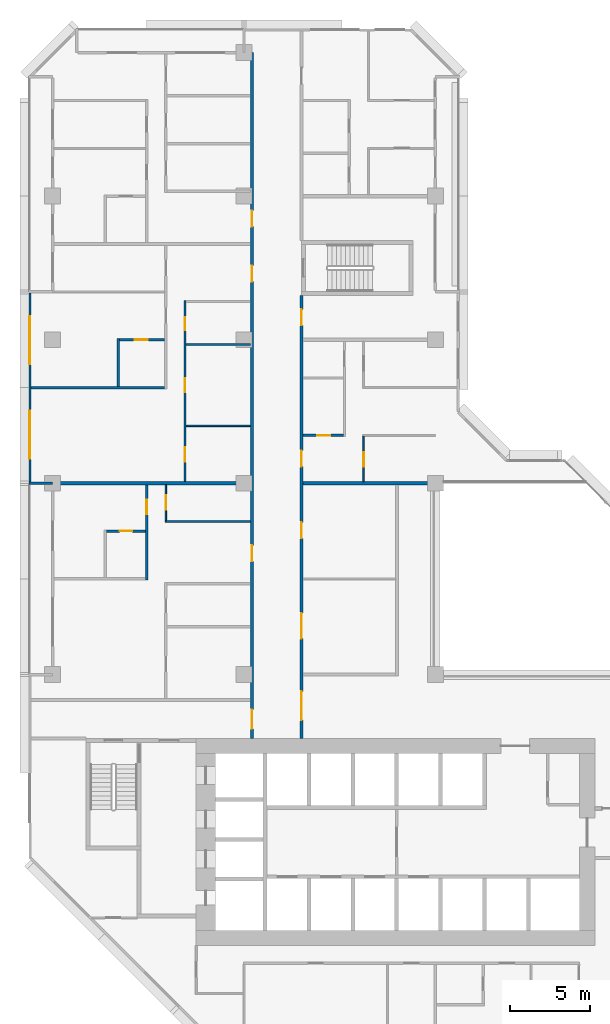
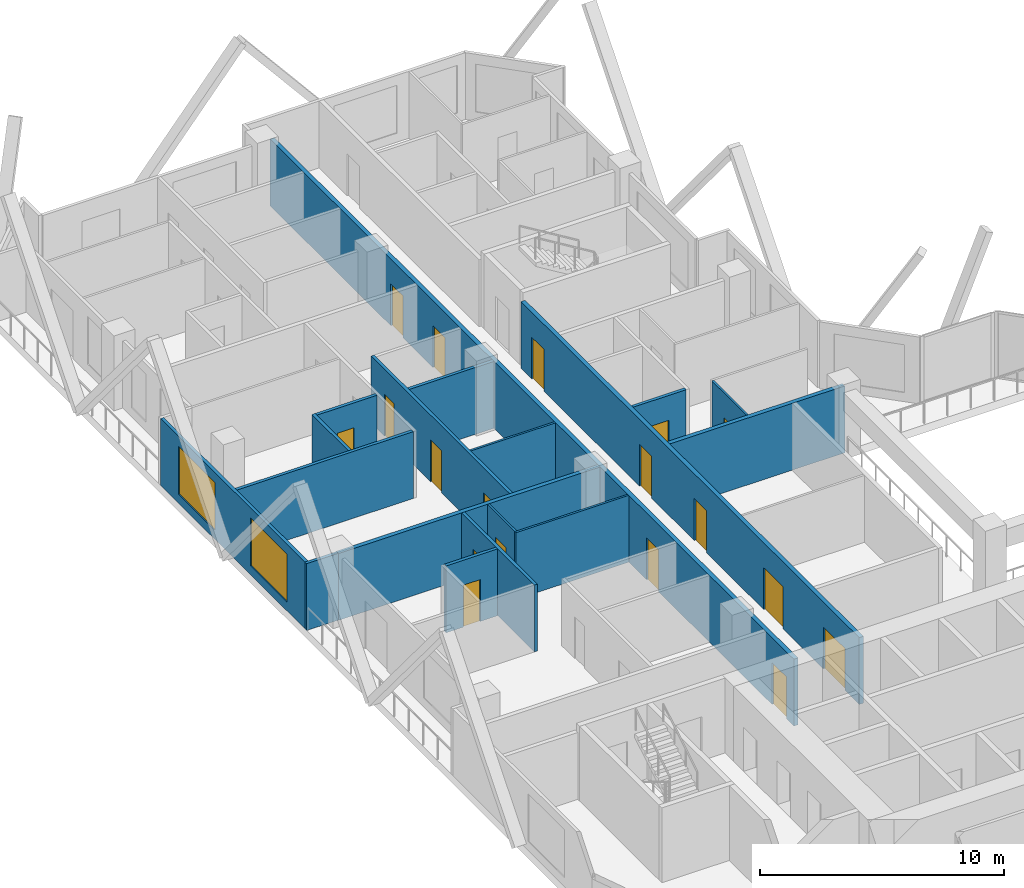
# One storey, part 8 of 14: 18 doors, 18 walls, 2 windows, 20 openings.
"""IFC4 building model written with IfcOpenShell, lengths in metres."""

import ifcopenshell
import ifcopenshell.guid

model = None  # the IFC model being written
_history = None  # IfcOwnerHistory: only IFC2X3 demands one
_inside = {}  # id of a spatial element -> (the spatial element, [elements in it])
_under = {}  # id of a project, library or spatial element -> (it, [spatial elements below it])
_declared = {}  # id of a project -> (the project, [libraries it declares])
_typed = {}  # id of a type object -> (the type object, [elements of that type])
_made_of = {}  # id of a material, layer set ... -> (it, [elements and type objects made of it])


def new_model(schema):
    """Start an empty IFC model of exactly this schema.

    Asked for "IFC4X3", IfcOpenShell would pick the latest addendum, in which some entities
    have other attributes; the version numbers below select the first issue.
    IFC2X3 requires an IfcOwnerHistory on every rooted entity: one is made here for all.
    """
    global model, _history
    if schema == "IFC4X3":
        model = ifcopenshell.file(schema_version=(4, 3, 0, 0))
    else:
        model = ifcopenshell.file(schema=schema)
    _inside.clear()
    _under.clear()
    _declared.clear()
    _typed.clear()
    _made_of.clear()
    _history = None
    if model.schema == "IFC2X3":
        org = make("IfcOrganization", Name="unknown")
        user = make(
            "IfcPersonAndOrganization",
            ThePerson=make("IfcPerson", FamilyName="unknown"),
            TheOrganization=org,
        )
        app = make(
            "IfcApplication",
            ApplicationDeveloper=org,
            Version="unknown",
            ApplicationFullName="unknown",
            ApplicationIdentifier="unknown",
        )
        _history = make(
            "IfcOwnerHistory",
            OwningUser=user,
            OwningApplication=app,
            ChangeAction="ADDED",
            CreationDate=0,
        )
    return model


def make(cls, **values):
    """One entity of the class cls with the attributes given. An attribute that is None is left unset."""
    return model.create_entity(
        cls, **{name: value for name, value in values.items() if value is not None}
    )


def rooted(cls, **values):
    """An entity with a GlobalId (a new one), such as an element, a storey or a relation."""
    return make(cls, GlobalId=ifcopenshell.guid.new(), OwnerHistory=_history, **values)


def si_unit(unit_type, name, prefix=None):
    """IfcSIUnit, for example si_unit("LENGTHUNIT", "METRE", prefix="MILLI")."""
    return make("IfcSIUnit", UnitType=unit_type, Prefix=prefix, Name=name)


def assignment(units):
    """IfcUnitAssignment: the units of a project."""
    return None if units is None else make("IfcUnitAssignment", Units=units)


def point(xyz):
    """IfcCartesianPoint."""
    return None if xyz is None else make("IfcCartesianPoint", Coordinates=xyz)


def direction(xyz):
    """IfcDirection."""
    return None if xyz is None else make("IfcDirection", DirectionRatios=xyz)


def frame(location, z_axis=None, x_axis=None):
    """IfcAxis2Placement3D, a coordinate frame: its origin and axes. An axis left out is left unset."""
    return make(
        "IfcAxis2Placement3D",
        Location=point(location),
        Axis=direction(z_axis),
        RefDirection=direction(x_axis),
    )


def frame_2d(location, x_axis=None):
    """IfcAxis2Placement2D, a coordinate frame in the plane: its origin and x axis."""
    return make(
        "IfcAxis2Placement2D", Location=point(location), RefDirection=direction(x_axis)
    )


def origin():
    """The frame at (0, 0, 0) with its axes left unset."""
    return frame((0.0, 0.0, 0.0))


def place(relative_to, where):
    """IfcLocalPlacement: puts the frame where relative to a parent placement (None: the world)."""
    return make(
        "IfcLocalPlacement", PlacementRelTo=relative_to, RelativePlacement=where
    )


def context(
    kind, dimensions, precision=None, world=None, true_north=None, identifier=None
):
    """IfcGeometricRepresentationContext, for example the 3D "Model" context."""
    return make(
        "IfcGeometricRepresentationContext",
        ContextIdentifier=identifier,
        ContextType=kind,
        CoordinateSpaceDimension=dimensions,
        Precision=precision,
        WorldCoordinateSystem=world,
        TrueNorth=true_north,
    )


def subcontext(parent, identifier, kind, view, scale=None):
    """IfcGeometricRepresentationSubContext, for example "Body" below "Model"."""
    return make(
        "IfcGeometricRepresentationSubContext",
        ContextIdentifier=identifier,
        ContextType=kind,
        ParentContext=parent,
        TargetScale=scale,
        TargetView=view,
    )


def project(units=None, contexts=None):
    """IfcProject with its units and contexts."""
    return rooted(
        "IfcProject",
        Name="project",
        RepresentationContexts=contexts,
        UnitsInContext=assignment(units),
    )


def spatial(cls, under=None, at=None, **own):
    """A site, building, storey or space (cls), placed at a placement, below another one or the project."""
    s = rooted(cls, ObjectPlacement=at, **own)
    if under is not None:
        _under.setdefault(under.id(), (under, []))[1].append(s)
    return s


def profile(cls, at=None, kind="AREA", **sizes):
    """A parametric profile (cls). Its sizes go by their IFC names, for example OverallWidth=200.0."""
    return make(cls, ProfileType=kind, Position=at, **sizes)


def rectangle(**sizes):
    """IfcRectangleProfileDef."""
    return profile("IfcRectangleProfileDef", **sizes)


def extrude(swept, where, along, depth):
    """IfcExtrudedAreaSolid: the profile swept, set in the frame where, extruded along a direction by depth."""
    return make(
        "IfcExtrudedAreaSolid",
        SweptArea=swept,
        Position=where,
        ExtrudedDirection=direction(along),
        Depth=depth,
    )


def shape(context_of_items, identifier, shape_type, items):
    """IfcShapeRepresentation: the items that make up one representation, for example the "Body"."""
    return make(
        "IfcShapeRepresentation",
        ContextOfItems=context_of_items,
        RepresentationIdentifier=identifier,
        RepresentationType=shape_type,
        Items=items,
    )


def material(Name=None, Category=None):
    """IfcMaterial."""
    return make("IfcMaterial", Name=Name, Category=Category)


def layer(
    of_material, thickness, ventilated=None, Name=None, Category=None, Priority=None
):
    """IfcMaterialLayer: one layer of a wall or slab, of a material (None: an air gap)."""
    return make(
        "IfcMaterialLayer",
        Material=of_material,
        LayerThickness=thickness,
        IsVentilated=ventilated,
        Name=Name,
        Category=Category,
        Priority=Priority,
    )


def layer_set(layers, Name=None):
    """IfcMaterialLayerSet."""
    return make("IfcMaterialLayerSet", MaterialLayers=layers, LayerSetName=Name)


def made_of(thing, what):
    """Note that an element or type object is made of a material, layer set ...; save() writes the relation."""
    if what is not None:
        _made_of.setdefault(what.id(), (what, []))[1].append(thing)
    return thing


def type_object(cls, material=None, **own):
    """A type object (cls), such as IfcWallType, which elements share."""
    return made_of(rooted(cls, **own), material)


def element(
    cls,
    number,
    at=None,
    inside=None,
    cuts=None,
    type_object=None,
    material=None,
    context=None,
    identifier="Body",
    shape_type=None,
    held_by="IfcProductDefinitionShape",
    body=None,
    shapes=None,
    **own,
):
    """One element of the class cls, such as IfcWall. Its Tag is "e" and its number.

    at: its placement. inside: the storey or other place that contains it. cuts: it is an
    opening in that element (IfcRelVoidsElement). A single representation is given by context,
    identifier, shape_type and body (its items); several are given by shapes. held_by: the class
    of the entity that holds the representations. save() writes the other relations.
    """
    e = rooted(cls, Tag="e%d" % number, ObjectPlacement=at, **own)
    if body is not None:
        shapes = [shape(context, identifier, shape_type, body)]
    if shapes is not None:
        e.Representation = make(held_by, Representations=shapes)
    if inside is not None:
        _inside.setdefault(inside.id(), (inside, []))[1].append(e)
    if cuts is not None:
        rooted(
            "IfcRelVoidsElement", RelatingBuildingElement=cuts, RelatedOpeningElement=e
        )
    if type_object is not None:
        _typed.setdefault(type_object.id(), (type_object, []))[1].append(e)
    return made_of(e, material)


def fill(opening, filler):
    """IfcRelFillsElement: the door or window that sits in an opening."""
    return rooted(
        "IfcRelFillsElement",
        RelatingOpeningElement=opening,
        RelatedBuildingElement=filler,
    )


def aggregate(whole, parts):
    """IfcRelAggregates: a whole, such as a stair, and the parts it consists of."""
    return rooted("IfcRelAggregates", RelatingObject=whole, RelatedObjects=parts)


def save(model, path):
    """Write the relations noted so far, then the file.

    IfcRelAggregates (storeys below a building ...), IfcRelContainedInSpatialStructure (elements
    in a storey), IfcRelDefinesByType, IfcRelAssociatesMaterial and IfcRelDeclares: one each for
    every whole, place, type object, material and project.
    """
    for whole, parts in _under.values():
        aggregate(whole, parts)
    for where, things in _inside.values():
        rooted(
            "IfcRelContainedInSpatialStructure",
            RelatedElements=things,
            RelatingStructure=where,
        )
    for kind, things in _typed.values():
        rooted("IfcRelDefinesByType", RelatedObjects=things, RelatingType=kind)
    for what, things in _made_of.values():
        rooted("IfcRelAssociatesMaterial", RelatedObjects=things, RelatingMaterial=what)
    for by, libraries in _declared.values():
        rooted("IfcRelDeclares", RelatingContext=by, RelatedDefinitions=libraries)
    model.write(path)


model = new_model("IFC4")

# Units and contexts
model_context = context("Model", 3, precision=1e-05, world=origin(), true_north=direction((0.0, 1.0)))
body_context = subcontext(model_context, "Body", "Model", "MODEL_VIEW")
ifc_project = project(units=[si_unit("LENGTHUNIT", "METRE"), si_unit("AREAUNIT", "SQUARE_METRE"), si_unit("VOLUMEUNIT", "CUBIC_METRE"), si_unit("PLANEANGLEUNIT", "RADIAN"), si_unit("MASSUNIT", "GRAM", prefix="KILO")], contexts=[model_context])

# Site, building, storey
site_placement = place(None, origin())
site = spatial("IfcSite", under=ifc_project, at=site_placement, CompositionType="ELEMENT")
building_placement = place(site_placement, origin())
building = spatial("IfcBuilding", under=site, at=building_placement, Name="Chenar Terraces", CompositionType="ELEMENT")
storey_placement = place(building_placement, frame((0.0, 0.0, 91.89990234375)))
storey = spatial("IfcBuildingStorey", under=building, at=storey_placement, Name="L20", CompositionType="ELEMENT", Elevation=91.89990234375)

# Wall, openings, doors
ifc_material_1 = material(Name="Gypsum board on steel studs with fire boards", Category="steel")
ifc_layer_1 = layer(ifc_material_1, 0.199951171875)
ifc_layer_set_1 = layer_set([ifc_layer_1], Name="Gypsum board on steel studs with fire boards")
wall_type_1 = type_object("IfcWallType", Name="Corridor wall 200", PredefinedType="PARTITIONING", material=ifc_layer_set_1)
wall_1_placement = place(storey_placement, frame((12.5, 20.0, 0.0), z_axis=(0.0, 0.0, 1.0), x_axis=(0.0, 1.0, 0.0)))
wall_1 = element("IfcWall", 1, at=wall_1_placement, inside=storey, type_object=wall_type_1, Name="Partition L20-037", PredefinedType="PARTITIONING", context=body_context, shape_type="SweptSolid", body=[
    extrude(rectangle(XDim=43.0, YDim=0.199951171875, at=frame_2d((21.5, 0.0))), origin(), (0.0, 0.0, 1.0), 3.35009765625),
])
opening_1_placement = place(wall_1_placement, frame((28.64990234375, 0.0, 0.0)))
opening_1 = element("IfcOpeningElement", 2, at=opening_1_placement, cuts=wall_1, Name="Opening DL20-40", PredefinedType="OPENING", context=body_context, shape_type="SweptSolid", body=[
    extrude(rectangle(XDim=1.0, YDim=2.10009765625, at=frame_2d((0.5, 1.050048828125))), frame((0.0, 0.10986328125, 0.0), z_axis=(0.0, -1.0, 0.0), x_axis=(1.0, 0.0, 0.0)), (0.0, 0.0, 1.0), 0.219970703125),
])
opening_2_placement = place(wall_1_placement, frame((32.10009765625, 0.0, 0.0)))
opening_2 = element("IfcOpeningElement", 3, at=opening_2_placement, cuts=wall_1, Name="Opening DL20-48", PredefinedType="OPENING", context=body_context, shape_type="SweptSolid", body=[
    extrude(rectangle(XDim=1.0, YDim=2.10009765625, at=frame_2d((0.5, 1.050048828125))), frame((0.0, 0.10986328125, 0.0), z_axis=(0.0, -1.0, 0.0), x_axis=(1.0, 0.0, 0.0)), (0.0, 0.0, 1.0), 0.219970703125),
])
opening_3_placement = place(wall_1_placement, frame((0.60009765625, 0.0, 0.0)))
opening_3 = element("IfcOpeningElement", 4, at=opening_3_placement, cuts=wall_1, Name="Opening DL20-51", PredefinedType="OPENING", context=body_context, shape_type="SweptSolid", body=[
    extrude(rectangle(XDim=1.199951171875, YDim=2.10009765625, at=frame_2d((0.60009765625, 1.050048828125))), frame((0.0, 0.10986328125, 0.0), z_axis=(0.0, -1.0, 0.0), x_axis=(1.0, 0.0, 0.0)), (0.0, 0.0, 1.0), 0.219970703125),
])
opening_4_placement = place(wall_1_placement, frame((11.10009765625, 0.0, 0.0)))
opening_4 = element("IfcOpeningElement", 5, at=opening_4_placement, cuts=wall_1, Name="Opening DL20-71", PredefinedType="OPENING", context=body_context, shape_type="SweptSolid", body=[
    extrude(rectangle(XDim=1.0, YDim=2.10009765625, at=frame_2d((0.5, 1.050048828125))), frame((0.0, 0.10986328125, 0.0), z_axis=(0.0, -1.0, 0.0), x_axis=(1.0, 0.0, 0.0)), (0.0, 0.0, 1.0), 0.219970703125),
])
ifc_material_2 = material(Name="Steel-framed fire-resisting door leaf", Category="steel")
door_type_1 = type_object("IfcDoorType", Name="Fire door FD30S 1000 x 2100", OperationType="SINGLE_SWING_LEFT", PredefinedType="DOOR", material=ifc_material_2)
door_1_placement = place(opening_1_placement, origin())
door_1 = element("IfcDoor", 6, at=door_1_placement, inside=storey, type_object=door_type_1, Name="Door DL20-40", OperationType="SINGLE_SWING_LEFT", OverallHeight=2.10009765625, OverallWidth=1.0, PredefinedType="DOOR", context=body_context, shape_type="SweptSolid", body=[
    extrude(rectangle(XDim=1.0, YDim=2.10009765625, at=frame_2d((0.5, 1.050048828125))), frame((0.0, 0.02490234375, 0.0), z_axis=(0.0, -1.0, 0.0), x_axis=(1.0, 0.0, 0.0)), (0.0, 0.0, 1.0), 0.050048828125),
])
fill(opening_1, door_1)
door_2_placement = place(opening_2_placement, origin())
door_2 = element("IfcDoor", 7, at=door_2_placement, inside=storey, type_object=door_type_1, Name="Door DL20-48", OperationType="SINGLE_SWING_RIGHT", OverallHeight=2.10009765625, OverallWidth=1.0, PredefinedType="DOOR", context=body_context, shape_type="SweptSolid", body=[
    extrude(rectangle(XDim=1.0, YDim=2.10009765625, at=frame_2d((0.5, 1.050048828125))), frame((0.0, 0.02490234375, 0.0), z_axis=(0.0, -1.0, 0.0), x_axis=(1.0, 0.0, 0.0)), (0.0, 0.0, 1.0), 0.050048828125),
])
fill(opening_2, door_2)
door_3_placement = place(opening_4_placement, origin())
door_3 = element("IfcDoor", 8, at=door_3_placement, inside=storey, type_object=door_type_1, Name="Door DL20-71", OperationType="SINGLE_SWING_LEFT", OverallHeight=2.10009765625, OverallWidth=1.0, PredefinedType="DOOR", context=body_context, shape_type="SweptSolid", body=[
    extrude(rectangle(XDim=1.0, YDim=2.10009765625, at=frame_2d((0.5, 1.050048828125))), frame((0.0, 0.02490234375, 0.0), z_axis=(0.0, -1.0, 0.0), x_axis=(1.0, 0.0, 0.0)), (0.0, 0.0, 1.0), 0.050048828125),
])
fill(opening_4, door_3)
ifc_material_3 = material(Name="Steel-framed fire-resisting door leaf", Category="steel")
door_type_2 = type_object("IfcDoorType", Name="Fire door FD30S 1200 x 2100", OperationType="SINGLE_SWING_LEFT", PredefinedType="DOOR", material=ifc_material_3)
door_4_placement = place(opening_3_placement, origin())
door_4 = element("IfcDoor", 9, at=door_4_placement, inside=storey, type_object=door_type_2, Name="Door DL20-51", OperationType="SINGLE_SWING_RIGHT", OverallHeight=2.10009765625, OverallWidth=1.199951171875, PredefinedType="DOOR", context=body_context, shape_type="SweptSolid", body=[
    extrude(rectangle(XDim=1.199951171875, YDim=2.10009765625, at=frame_2d((0.60009765625, 1.050048828125))), frame((0.0, 0.02490234375, 0.0), z_axis=(0.0, -1.0, 0.0), x_axis=(1.0, 0.0, 0.0)), (0.0, 0.0, 1.0), 0.050048828125),
])
fill(opening_3, door_4)

wall_2_placement = place(storey_placement, frame((15.60009765625, 20.0, 0.0), z_axis=(0.0, 0.0, 1.0), x_axis=(0.0, 1.0, 0.0)))
wall_2 = element("IfcWall", 10, at=wall_2_placement, inside=storey, type_object=wall_type_1, Name="Partition L20-038", PredefinedType="PARTITIONING", context=body_context, shape_type="SweptSolid", body=[
    extrude(rectangle(XDim=27.77490234375, YDim=0.199951171875, at=frame_2d((13.887451171875, 0.0))), origin(), (0.0, 0.0, 1.0), 3.35009765625),
])
opening_5_placement = place(wall_2_placement, frame((6.25, 0.0, 0.0)))
opening_5 = element("IfcOpeningElement", 11, at=opening_5_placement, cuts=wall_2, Name="Opening DL20-1", PredefinedType="OPENING", context=body_context, shape_type="SweptSolid", body=[
    extrude(rectangle(XDim=1.60009765625, YDim=2.10009765625, at=frame_2d((0.800048828125, 1.050048828125))), frame((0.0, 0.10986328125, 0.0), z_axis=(0.0, -1.0, 0.0), x_axis=(1.0, 0.0, 0.0)), (0.0, 0.0, 1.0), 0.219970703125),
])
opening_6_placement = place(wall_2_placement, frame((12.550048828125, 0.0, 0.0)))
opening_6 = element("IfcOpeningElement", 12, at=opening_6_placement, cuts=wall_2, Name="Opening DL20-2", PredefinedType="OPENING", context=body_context, shape_type="SweptSolid", body=[
    extrude(rectangle(XDim=1.0, YDim=2.10009765625, at=frame_2d((0.5, 1.050048828125))), frame((0.0, 0.10986328125, 0.0), z_axis=(0.0, -1.0, 0.0), x_axis=(1.0, 0.0, 0.0)), (0.0, 0.0, 1.0), 0.219970703125),
])
opening_7_placement = place(wall_2_placement, frame((17.050048828125, 0.0, 0.0)))
opening_7 = element("IfcOpeningElement", 13, at=opening_7_placement, cuts=wall_2, Name="Opening DL20-29", PredefinedType="OPENING", context=body_context, shape_type="SweptSolid", body=[
    extrude(rectangle(XDim=1.0, YDim=2.10009765625, at=frame_2d((0.5, 1.050048828125))), frame((0.0, 0.10986328125, 0.0), z_axis=(0.0, -1.0, 0.0), x_axis=(1.0, 0.0, 0.0)), (0.0, 0.0, 1.0), 0.219970703125),
])
opening_8_placement = place(wall_2_placement, frame((1.14990234375, 0.0, 0.0)))
opening_8 = element("IfcOpeningElement", 14, at=opening_8_placement, cuts=wall_2, Name="Opening DL20-50", PredefinedType="OPENING", context=body_context, shape_type="SweptSolid", body=[
    extrude(rectangle(XDim=1.800048828125, YDim=2.10009765625, at=frame_2d((0.89990234375, 1.050048828125))), frame((0.0, 0.10986328125, 0.0), z_axis=(0.0, -1.0, 0.0), x_axis=(1.0, 0.0, 0.0)), (0.0, 0.0, 1.0), 0.219970703125),
])
opening_9_placement = place(wall_2_placement, frame((25.89990234375, 0.0, 0.0)))
opening_9 = element("IfcOpeningElement", 15, at=opening_9_placement, cuts=wall_2, Name="Opening DL20-53", PredefinedType="OPENING", context=body_context, shape_type="SweptSolid", body=[
    extrude(rectangle(XDim=1.0, YDim=2.10009765625, at=frame_2d((0.5, 1.050048828125))), frame((0.0, 0.10986328125, 0.0), z_axis=(0.0, -1.0, 0.0), x_axis=(1.0, 0.0, 0.0)), (0.0, 0.0, 1.0), 0.219970703125),
])
ifc_material_4 = material(Name="Steel-framed fire-resisting door leaf", Category="steel")
door_type_3 = type_object("IfcDoorType", Name="Fire door FD60 1000 x 2100", OperationType="SINGLE_SWING_LEFT", PredefinedType="DOOR", material=ifc_material_4)
door_5_placement = place(opening_6_placement, frame((1.0, 0.0, 0.0), z_axis=(0.0, 0.0, 1.0), x_axis=(-1.0, 0.0, 0.0)))
door_5 = element("IfcDoor", 16, at=door_5_placement, inside=storey, type_object=door_type_3, Name="Door DL20-2", OperationType="SINGLE_SWING_LEFT", OverallHeight=2.10009765625, OverallWidth=1.0, PredefinedType="DOOR", context=body_context, shape_type="SweptSolid", body=[
    extrude(rectangle(XDim=1.0, YDim=2.10009765625, at=frame_2d((0.5, 1.050048828125))), frame((0.0, 0.02490234375, 0.0), z_axis=(0.0, -1.0, 0.0), x_axis=(1.0, 0.0, 0.0)), (0.0, 0.0, 1.0), 0.050048828125),
])
fill(opening_6, door_5)
door_6_placement = place(opening_7_placement, frame((1.0, 0.0, 0.0), z_axis=(0.0, 0.0, 1.0), x_axis=(-1.0, 0.0, 0.0)))
door_6 = element("IfcDoor", 17, at=door_6_placement, inside=storey, type_object=door_type_3, Name="Door DL20-29", OperationType="SINGLE_SWING_LEFT", OverallHeight=2.10009765625, OverallWidth=1.0, PredefinedType="DOOR", context=body_context, shape_type="SweptSolid", body=[
    extrude(rectangle(XDim=1.0, YDim=2.10009765625, at=frame_2d((0.5, 1.050048828125))), frame((0.0, 0.02490234375, 0.0), z_axis=(0.0, -1.0, 0.0), x_axis=(1.0, 0.0, 0.0)), (0.0, 0.0, 1.0), 0.050048828125),
])
fill(opening_7, door_6)
door_7_placement = place(opening_9_placement, frame((1.0, 0.0, 0.0), z_axis=(0.0, 0.0, 1.0), x_axis=(-1.0, 0.0, 0.0)))
door_7 = element("IfcDoor", 18, at=door_7_placement, inside=storey, type_object=door_type_3, Name="Door DL20-53", OperationType="SINGLE_SWING_RIGHT", OverallHeight=2.10009765625, OverallWidth=1.0, PredefinedType="DOOR", context=body_context, shape_type="SweptSolid", body=[
    extrude(rectangle(XDim=1.0, YDim=2.10009765625, at=frame_2d((0.5, 1.050048828125))), frame((0.0, 0.02490234375, 0.0), z_axis=(0.0, -1.0, 0.0), x_axis=(1.0, 0.0, 0.0)), (0.0, 0.0, 1.0), 0.050048828125),
])
fill(opening_9, door_7)
ifc_material_5 = material(Name="Steel-framed fire-resisting door leaf", Category="steel")
door_type_4 = type_object("IfcDoorType", Name="Fire double door FD60 1600 x 2100", OperationType="DOUBLE_DOOR_SINGLE_SWING", PredefinedType="DOOR", material=ifc_material_5)
door_8_placement = place(opening_5_placement, frame((1.60009765625, 0.0, 0.0), z_axis=(0.0, 0.0, 1.0), x_axis=(-1.0, 0.0, 0.0)))
door_8 = element("IfcDoor", 19, at=door_8_placement, inside=storey, type_object=door_type_4, Name="Door DL20-1", OperationType="DOUBLE_DOOR_SINGLE_SWING", OverallHeight=2.10009765625, OverallWidth=1.60009765625, PredefinedType="DOOR", context=body_context, shape_type="SweptSolid", body=[
    extrude(rectangle(XDim=1.60009765625, YDim=2.10009765625, at=frame_2d((0.800048828125, 1.050048828125))), frame((0.0, 0.02490234375, 0.0), z_axis=(0.0, -1.0, 0.0), x_axis=(1.0, 0.0, 0.0)), (0.0, 0.0, 1.0), 0.050048828125),
])
fill(opening_5, door_8)
ifc_material_6 = material(Name="Steel-framed fire-resisting door leaf", Category="steel")
door_type_5 = type_object("IfcDoorType", Name="Fire double door FD60 1800 x 2100", OperationType="DOUBLE_DOOR_SINGLE_SWING", PredefinedType="DOOR", material=ifc_material_6)
door_9_placement = place(opening_8_placement, frame((1.800048828125, 0.0, 0.0), z_axis=(0.0, 0.0, 1.0), x_axis=(-1.0, 0.0, 0.0)))
door_9 = element("IfcDoor", 20, at=door_9_placement, inside=storey, type_object=door_type_5, Name="Door DL20-50", OperationType="DOUBLE_DOOR_SINGLE_SWING", OverallHeight=2.10009765625, OverallWidth=1.800048828125, PredefinedType="DOOR", context=body_context, shape_type="SweptSolid", body=[
    extrude(rectangle(XDim=1.800048828125, YDim=2.10009765625, at=frame_2d((0.89990234375, 1.050048828125))), frame((0.0, 0.02490234375, 0.0), z_axis=(0.0, -1.0, 0.0), x_axis=(1.0, 0.0, 0.0)), (0.0, 0.0, 1.0), 0.050048828125),
])
fill(opening_8, door_9)

# Wall, openings, windows
ifc_material_7 = material(Name="Aluminium framed glazing", Category="aluminium")
ifc_layer_2 = layer(ifc_material_7, 0.14990234375)
ifc_layer_set_2 = layer_set([ifc_layer_2], Name="Aluminium framed glazing")
wall_type_2 = type_object("IfcWallType", Name="Glazed flush facade wall 150", PredefinedType="SOLIDWALL", material=ifc_layer_set_2)
wall_3_placement = place(storey_placement, frame((-1.425048828125, 47.925048828125, 0.0), z_axis=(0.0, 0.0, 1.0), x_axis=(0.0, -1.0, 0.0)))
wall_3 = element("IfcWall", 21, at=wall_3_placement, inside=storey, type_object=wall_type_2, Name="Glazed flush facade wall", PredefinedType="SOLIDWALL", context=body_context, shape_type="SweptSolid", body=[
    extrude(rectangle(XDim=11.85009765625, YDim=0.14990234375, at=frame_2d((5.925048828125, 0.0))), origin(), (0.0, 0.0, 1.0), 3.35009765625),
])
opening_10_placement = place(wall_3_placement, frame((1.46240234375, 0.0, 0.449951171875)))
opening_10 = element("IfcOpeningElement", 22, at=opening_10_placement, cuts=wall_3, Name="Opening W300x240", PredefinedType="OPENING", context=body_context, shape_type="SweptSolid", body=[
    extrude(rectangle(XDim=3.0, YDim=2.39990234375, at=frame_2d((1.5, 1.199951171875))), frame((0.0, 0.0849609375, 0.0), z_axis=(0.0, -1.0, 0.0), x_axis=(1.0, 0.0, 0.0)), (0.0, 0.0, 1.0), 0.169921875),
])
opening_11_placement = place(wall_3_placement, frame((7.387451171875, 0.0, 0.449951171875)))
opening_11 = element("IfcOpeningElement", 23, at=opening_11_placement, cuts=wall_3, Name="Opening W300x240", PredefinedType="OPENING", context=body_context, shape_type="SweptSolid", body=[
    extrude(rectangle(XDim=3.0, YDim=2.39990234375, at=frame_2d((1.5, 1.199951171875))), frame((0.0, 0.0849609375, 0.0), z_axis=(0.0, -1.0, 0.0), x_axis=(1.0, 0.0, 0.0)), (0.0, 0.0, 1.0), 0.169921875),
])
ifc_material_8 = material(Name="Low emissivity double glazing, aluminium frame", Category="aluminium")
window_type = type_object("IfcWindowType", Name="Fixed light 3000 x 2400", PartitioningType="SINGLE_PANEL", PredefinedType="WINDOW", material=ifc_material_8)
window_1_placement = place(opening_10_placement, origin())
window_1 = element("IfcWindow", 24, at=window_1_placement, inside=storey, type_object=window_type, Name="Window", OverallHeight=2.39990234375, OverallWidth=3.0, PartitioningType="SINGLE_PANEL", PredefinedType="WINDOW", context=body_context, shape_type="SweptSolid", body=[
    extrude(rectangle(XDim=3.0, YDim=2.39990234375, at=frame_2d((1.5, 1.199951171875))), frame((0.0, 0.030029296875, 0.0), z_axis=(0.0, -1.0, 0.0), x_axis=(1.0, 0.0, 0.0)), (0.0, 0.0, 1.0), 0.06005859375),
])
fill(opening_10, window_1)
window_2_placement = place(opening_11_placement, origin())
window_2 = element("IfcWindow", 25, at=window_2_placement, inside=storey, type_object=window_type, Name="Window", OverallHeight=2.39990234375, OverallWidth=3.0, PartitioningType="SINGLE_PANEL", PredefinedType="WINDOW", context=body_context, shape_type="SweptSolid", body=[
    extrude(rectangle(XDim=3.0, YDim=2.39990234375, at=frame_2d((1.5, 1.199951171875))), frame((0.0, 0.030029296875, 0.0), z_axis=(0.0, -1.0, 0.0), x_axis=(1.0, 0.0, 0.0)), (0.0, 0.0, 1.0), 0.06005859375),
])
fill(opening_11, window_2)

# Wall
ifc_material_9 = material(Name="Gypsum board on steel studs", Category="steel")
ifc_layer_3 = layer(ifc_material_9, 0.10009765625)
ifc_layer_set_3 = layer_set([ifc_layer_3], Name="Gypsum board on steel studs")
wall_type_3 = type_object("IfcWallType", Name="Gypsum partition 100", PredefinedType="PARTITIONING", material=ifc_layer_set_3)
wall_4_placement = place(storey_placement, frame((7.050048828125, 33.60009765625, 0.0), z_axis=(0.0, 0.0, 1.0), x_axis=(1.0, 0.0, 0.0)))
element("IfcWall", 26, at=wall_4_placement, inside=storey, type_object=wall_type_3, Name="Partition L20-019", PredefinedType="PARTITIONING", context=body_context, shape_type="SweptSolid", body=[
    extrude(rectangle(XDim=5.349853515625, YDim=0.10009765625, at=frame_2d((2.6748046875, 0.0))), origin(), (0.0, 0.0, 1.0), 3.35009765625),
])

# Wall, opening, door
wall_5_placement = place(storey_placement, frame((7.10009765625, 33.64990234375, 0.0), z_axis=(0.0, 0.0, 1.0), x_axis=(0.0, 1.0, 0.0)))
wall_5 = element("IfcWall", 27, at=wall_5_placement, inside=storey, type_object=wall_type_3, Name="Partition L20-021", PredefinedType="PARTITIONING", context=body_context, shape_type="SweptSolid", body=[
    extrude(rectangle(XDim=2.25, YDim=0.10009765625, at=frame_2d((1.125, 0.0))), origin(), (0.0, 0.0, 1.0), 3.35009765625),
])
opening_12_placement = place(wall_5_placement, frame((0.699951171875, 0.0, 0.0)))
opening_12 = element("IfcOpeningElement", 28, at=opening_12_placement, cuts=wall_5, Name="Opening DL20-70", PredefinedType="OPENING", context=body_context, shape_type="SweptSolid", body=[
    extrude(rectangle(XDim=0.89990234375, YDim=2.10009765625, at=frame_2d((0.449951171875, 1.050048828125))), frame((0.0, 0.06005859375, 0.0), z_axis=(0.0, -1.0, 0.0), x_axis=(1.0, 0.0, 0.0)), (0.0, 0.0, 1.0), 0.1201171875),
])
ifc_material_10 = material(Name="Veneered timber door leaf", Category="wood")
door_type_6 = type_object("IfcDoorType", Name="Door 900 x 2100", OperationType="SINGLE_SWING_LEFT", PredefinedType="DOOR", material=ifc_material_10)
door_10_placement = place(opening_12_placement, frame((0.89990234375, 0.0, 0.0), z_axis=(0.0, 0.0, 1.0), x_axis=(-1.0, 0.0, 0.0)))
door_10 = element("IfcDoor", 29, at=door_10_placement, inside=storey, type_object=door_type_6, Name="Door DL20-70", OperationType="SINGLE_SWING_LEFT", OverallHeight=2.10009765625, OverallWidth=0.89990234375, PredefinedType="DOOR", context=body_context, shape_type="SweptSolid", body=[
    extrude(rectangle(XDim=0.89990234375, YDim=2.10009765625, at=frame_2d((0.449951171875, 1.050048828125))), frame((0.0, 0.02490234375, 0.0), z_axis=(0.0, -1.0, 0.0), x_axis=(1.0, 0.0, 0.0)), (0.0, 0.0, 1.0), 0.050048828125),
])
fill(opening_12, door_10)

# Wall
wall_6_placement = place(storey_placement, frame((8.375, 39.60009765625, 0.0), z_axis=(0.0, 0.0, 1.0), x_axis=(1.0, 0.0, 0.0)))
element("IfcWall", 30, at=wall_6_placement, inside=storey, type_object=wall_type_3, Name="Partition L20-030", PredefinedType="PARTITIONING", context=body_context, shape_type="SweptSolid", body=[
    extrude(rectangle(XDim=4.02490234375, YDim=0.10009765625, at=frame_2d((2.012451171875, 0.0))), origin(), (0.0, 0.0, 1.0), 3.35009765625),
])

# Wall, opening, door
wall_7_placement = place(storey_placement, frame((19.5, 36.10009765625, 0.0), z_axis=(0.0, 0.0, 1.0), x_axis=(0.0, 1.0, 0.0)))
wall_7 = element("IfcWall", 31, at=wall_7_placement, inside=storey, type_object=wall_type_3, Name="Partition L20-053", PredefinedType="PARTITIONING", context=body_context, shape_type="SweptSolid", body=[
    extrude(rectangle(XDim=2.849853515625, YDim=0.10009765625, at=frame_2d((1.4248046875, 0.0))), origin(), (0.0, 0.0, 1.0), 3.35009765625),
])
opening_13_placement = place(wall_7_placement, frame((0.949951171875, 0.0, 0.0)))
opening_13 = element("IfcOpeningElement", 32, at=opening_13_placement, cuts=wall_7, Name="Opening DL20-26", PredefinedType="OPENING", context=body_context, shape_type="SweptSolid", body=[
    extrude(rectangle(XDim=0.89990234375, YDim=2.10009765625, at=frame_2d((0.449951171875, 1.050048828125))), frame((0.0, 0.06005859375, 0.0), z_axis=(0.0, -1.0, 0.0), x_axis=(1.0, 0.0, 0.0)), (0.0, 0.0, 1.0), 0.1201171875),
])
door_11_placement = place(opening_13_placement, frame((0.89990234375, 0.0, 0.0), z_axis=(0.0, 0.0, 1.0), x_axis=(-1.0, 0.0, 0.0)))
door_11 = element("IfcDoor", 33, at=door_11_placement, inside=storey, type_object=door_type_6, Name="Door DL20-26", OperationType="SINGLE_SWING_LEFT", OverallHeight=2.10009765625, OverallWidth=0.89990234375, PredefinedType="DOOR", context=body_context, shape_type="SweptSolid", body=[
    extrude(rectangle(XDim=0.89990234375, YDim=2.10009765625, at=frame_2d((0.449951171875, 1.050048828125))), frame((0.0, 0.02490234375, 0.0), z_axis=(0.0, -1.0, 0.0), x_axis=(1.0, 0.0, 0.0)), (0.0, 0.0, 1.0), 0.050048828125),
])
fill(opening_13, door_11)

# Walls
ifc_material_11 = material(Name="Terracotta cladding on insulated backing", Category="masonry")
ifc_layer_4 = layer(ifc_material_11, 0.14990234375)
ifc_layer_set_4 = layer_set([ifc_layer_4], Name="Terracotta cladding on insulated backing")
wall_type_4 = type_object("IfcWallType", Name="Loggia return wall 150", PredefinedType="SOLIDWALL", material=ifc_layer_set_4)
wall_8_placement = place(storey_placement, frame((-1.5, 36.0, 0.0), z_axis=(0.0, 0.0, 1.0), x_axis=(1.0, 0.0, 0.0)))
element("IfcWall", 34, at=wall_8_placement, inside=storey, type_object=wall_type_4, Name="Loggia return wall", PredefinedType="SOLIDWALL", context=body_context, shape_type="SweptSolid", body=[
    extrude(rectangle(XDim=1.5, YDim=0.14990234375, at=frame_2d((0.75, 0.0))), origin(), (0.0, 0.0, 1.0), 3.35009765625),
])
ifc_material_12 = material(Name="Twin gypsum board on steel studs with mineral wool", Category="steel")
ifc_layer_5 = layer(ifc_material_12, 0.199951171875)
ifc_layer_set_5 = layer_set([ifc_layer_5], Name="Twin gypsum board on steel studs with mineral wool")
wall_type_5 = type_object("IfcWallType", Name="Unit demising wall 200", PredefinedType="PARTITIONING", material=ifc_layer_set_5)
wall_9_placement = place(storey_placement, frame((0.0, 36.0, 0.0), z_axis=(0.0, 0.0, 1.0), x_axis=(1.0, 0.0, 0.0)))
element("IfcWall", 35, at=wall_9_placement, inside=storey, type_object=wall_type_5, Name="Partition L20-003", PredefinedType="PARTITIONING", context=body_context, shape_type="SweptSolid", body=[
    extrude(rectangle(XDim=12.39990234375, YDim=0.199951171875, at=frame_2d((6.199951171875, 0.0))), origin(), (0.0, 0.0, 1.0), 3.35009765625),
])
wall_10_placement = place(storey_placement, frame((15.699951171875, 36.0, 0.0), z_axis=(0.0, 0.0, 1.0), x_axis=(1.0, 0.0, 0.0)))
element("IfcWall", 36, at=wall_10_placement, inside=storey, type_object=wall_type_5, Name="Partition L20-042", PredefinedType="PARTITIONING", context=body_context, shape_type="SweptSolid", body=[
    extrude(rectangle(XDim=8.300048828125, YDim=0.199951171875, at=frame_2d((4.14990234375, 0.0))), origin(), (0.0, 0.0, 1.0), 3.35009765625),
])
ifc_material_13 = material(Name="Moisture-resistant gypsum board on steel studs", Category="steel")
ifc_layer_6 = layer(ifc_material_13, 0.14990234375)
ifc_layer_set_6 = layer_set([ifc_layer_6], Name="Moisture-resistant gypsum board on steel studs")
wall_type_6 = type_object("IfcWallType", Name="Wet-room partition 150", PredefinedType="PARTITIONING", material=ifc_layer_set_6)
wall_11_placement = place(storey_placement, frame((-1.35009765625, 42.0, 0.0), z_axis=(0.0, 0.0, 1.0), x_axis=(1.0, 0.0, 0.0)))
element("IfcWall", 37, at=wall_11_placement, inside=storey, type_object=wall_type_6, Name="Partition L20-004", PredefinedType="PARTITIONING", context=body_context, shape_type="SweptSolid", body=[
    extrude(rectangle(XDim=8.375, YDim=0.14990234375, at=frame_2d((4.1875, 0.0))), origin(), (0.0, 0.0, 1.0), 3.35009765625),
])

# Wall, opening, door
wall_12_placement = place(storey_placement, frame((3.375, 33.0, 0.0), z_axis=(0.0, 0.0, 1.0), x_axis=(1.0, 0.0, 0.0)))
wall_12 = element("IfcWall", 38, at=wall_12_placement, inside=storey, type_object=wall_type_6, Name="Partition L20-013", PredefinedType="PARTITIONING", context=body_context, shape_type="SweptSolid", body=[
    extrude(rectangle(XDim=2.449951171875, YDim=0.14990234375, at=frame_2d((1.22509765625, 0.0))), origin(), (0.0, 0.0, 1.0), 3.35009765625),
])
opening_14_placement = place(wall_12_placement, frame((0.824951171875, 0.0, 0.0)))
opening_14 = element("IfcOpeningElement", 39, at=opening_14_placement, cuts=wall_12, Name="Opening DL20-69", PredefinedType="OPENING", context=body_context, shape_type="SweptSolid", body=[
    extrude(rectangle(XDim=0.800048828125, YDim=2.10009765625, at=frame_2d((0.39990234375, 1.050048828125))), frame((0.0, 0.0849609375, 0.0), z_axis=(0.0, -1.0, 0.0), x_axis=(1.0, 0.0, 0.0)), (0.0, 0.0, 1.0), 0.169921875),
])
ifc_material_14 = material(Name="Veneered timber door leaf", Category="wood")
door_type_7 = type_object("IfcDoorType", Name="Door 800 x 2100", OperationType="SINGLE_SWING_LEFT", PredefinedType="DOOR", material=ifc_material_14)
door_12_placement = place(opening_14_placement, frame((0.800048828125, 0.0, 0.0), z_axis=(0.0, 0.0, 1.0), x_axis=(-1.0, 0.0, 0.0)))
door_12 = element("IfcDoor", 40, at=door_12_placement, inside=storey, type_object=door_type_7, Name="Door DL20-69", OperationType="SINGLE_SWING_LEFT", OverallHeight=2.10009765625, OverallWidth=0.800048828125, PredefinedType="DOOR", context=body_context, shape_type="SweptSolid", body=[
    extrude(rectangle(XDim=0.800048828125, YDim=2.10009765625, at=frame_2d((0.39990234375, 1.050048828125))), frame((0.0, 0.02490234375, 0.0), z_axis=(0.0, -1.0, 0.0), x_axis=(1.0, 0.0, 0.0)), (0.0, 0.0, 1.0), 0.050048828125),
])
fill(opening_14, door_12)

# Wall
wall_13_placement = place(storey_placement, frame((4.10009765625, 42.074951171875, 0.0), z_axis=(0.0, 0.0, 1.0), x_axis=(0.0, 1.0, 0.0)))
element("IfcWall", 41, at=wall_13_placement, inside=storey, type_object=wall_type_6, Name="Partition L20-015", PredefinedType="PARTITIONING", context=body_context, shape_type="SweptSolid", body=[
    extrude(rectangle(XDim=3.0, YDim=0.14990234375, at=frame_2d((1.5, 0.0))), origin(), (0.0, 0.0, 1.0), 3.35009765625),
])

# Wall, opening, door
wall_14_placement = place(storey_placement, frame((4.175048828125, 45.0, 0.0), z_axis=(0.0, 0.0, 1.0), x_axis=(1.0, 0.0, 0.0)))
wall_14 = element("IfcWall", 42, at=wall_14_placement, inside=storey, type_object=wall_type_6, Name="Partition L20-016", PredefinedType="PARTITIONING", context=body_context, shape_type="SweptSolid", body=[
    extrude(rectangle(XDim=2.849853515625, YDim=0.14990234375, at=frame_2d((1.4248046875, 0.0))), origin(), (0.0, 0.0, 1.0), 3.35009765625),
])
opening_15_placement = place(wall_14_placement, frame((0.97509765625, 0.0, 0.0)))
opening_15 = element("IfcOpeningElement", 43, at=opening_15_placement, cuts=wall_14, Name="Opening DL20-38", PredefinedType="OPENING", context=body_context, shape_type="SweptSolid", body=[
    extrude(rectangle(XDim=0.800048828125, YDim=2.10009765625, at=frame_2d((0.39990234375, 1.050048828125))), frame((0.0, 0.0849609375, 0.0), z_axis=(0.0, -1.0, 0.0), x_axis=(1.0, 0.0, 0.0)), (0.0, 0.0, 1.0), 0.169921875),
])
door_13_placement = place(opening_15_placement, frame((0.800048828125, 0.0, 0.0), z_axis=(0.0, 0.0, 1.0), x_axis=(-1.0, 0.0, 0.0)))
door_13 = element("IfcDoor", 44, at=door_13_placement, inside=storey, type_object=door_type_7, Name="Door DL20-38", OperationType="SINGLE_SWING_RIGHT", OverallHeight=2.10009765625, OverallWidth=0.800048828125, PredefinedType="DOOR", context=body_context, shape_type="SweptSolid", body=[
    extrude(rectangle(XDim=0.800048828125, YDim=2.10009765625, at=frame_2d((0.39990234375, 1.050048828125))), frame((0.0, 0.02490234375, 0.0), z_axis=(0.0, -1.0, 0.0), x_axis=(1.0, 0.0, 0.0)), (0.0, 0.0, 1.0), 0.050048828125),
])
fill(opening_15, door_13)

wall_15_placement = place(storey_placement, frame((5.89990234375, 29.925048828125, 0.0), z_axis=(0.0, 0.0, 1.0), x_axis=(0.0, 1.0, 0.0)))
wall_15 = element("IfcWall", 45, at=wall_15_placement, inside=storey, type_object=wall_type_6, Name="Partition L20-017", PredefinedType="PARTITIONING", context=body_context, shape_type="SweptSolid", body=[
    extrude(rectangle(XDim=5.974853515625, YDim=0.14990234375, at=frame_2d((2.9873046875, 0.0))), origin(), (0.0, 0.0, 1.0), 3.35009765625),
])
opening_16_placement = place(wall_15_placement, frame((4.125, 0.0, 0.0)))
opening_16 = element("IfcOpeningElement", 46, at=opening_16_placement, cuts=wall_15, Name="Opening DL20-68", PredefinedType="OPENING", context=body_context, shape_type="SweptSolid", body=[
    extrude(rectangle(XDim=0.89990234375, YDim=2.10009765625, at=frame_2d((0.449951171875, 1.050048828125))), frame((0.0, 0.0849609375, 0.0), z_axis=(0.0, -1.0, 0.0), x_axis=(1.0, 0.0, 0.0)), (0.0, 0.0, 1.0), 0.169921875),
])
door_14_placement = place(opening_16_placement, origin())
door_14 = element("IfcDoor", 47, at=door_14_placement, inside=storey, type_object=door_type_6, Name="Door DL20-68", OperationType="SINGLE_SWING_LEFT", OverallHeight=2.10009765625, OverallWidth=0.89990234375, PredefinedType="DOOR", context=body_context, shape_type="SweptSolid", body=[
    extrude(rectangle(XDim=0.89990234375, YDim=2.10009765625, at=frame_2d((0.449951171875, 1.050048828125))), frame((0.0, 0.02490234375, 0.0), z_axis=(0.0, -1.0, 0.0), x_axis=(1.0, 0.0, 0.0)), (0.0, 0.0, 1.0), 0.050048828125),
])
fill(opening_16, door_14)

# Wall, openings, doors
wall_16_placement = place(storey_placement, frame((8.300048828125, 36.10009765625, 0.0), z_axis=(0.0, 0.0, 1.0), x_axis=(0.0, 1.0, 0.0)))
wall_16 = element("IfcWall", 48, at=wall_16_placement, inside=storey, type_object=wall_type_6, Name="Partition L20-029", PredefinedType="PARTITIONING", context=body_context, shape_type="SweptSolid", body=[
    extrude(rectangle(XDim=11.375, YDim=0.14990234375, at=frame_2d((5.6875, 0.0))), origin(), (0.0, 0.0, 1.0), 3.35009765625),
])
opening_17_placement = place(wall_16_placement, frame((9.5, 0.0, 0.0)))
opening_17 = element("IfcOpeningElement", 49, at=opening_17_placement, cuts=wall_16, Name="Opening DL20-35", PredefinedType="OPENING", context=body_context, shape_type="SweptSolid", body=[
    extrude(rectangle(XDim=0.800048828125, YDim=2.10009765625, at=frame_2d((0.39990234375, 1.050048828125))), frame((0.0, 0.0849609375, 0.0), z_axis=(0.0, -1.0, 0.0), x_axis=(1.0, 0.0, 0.0)), (0.0, 0.0, 1.0), 0.169921875),
])
opening_18_placement = place(wall_16_placement, frame((5.60009765625, 0.0, 0.0)))
opening_18 = element("IfcOpeningElement", 50, at=opening_18_placement, cuts=wall_16, Name="Opening DL20-39", PredefinedType="OPENING", context=body_context, shape_type="SweptSolid", body=[
    extrude(rectangle(XDim=0.89990234375, YDim=2.10009765625, at=frame_2d((0.449951171875, 1.050048828125))), frame((0.0, 0.0849609375, 0.0), z_axis=(0.0, -1.0, 0.0), x_axis=(1.0, 0.0, 0.0)), (0.0, 0.0, 1.0), 0.169921875),
])
opening_19_placement = place(wall_16_placement, frame((1.25, 0.0, 0.0)))
opening_19 = element("IfcOpeningElement", 51, at=opening_19_placement, cuts=wall_16, Name="Opening DL20-41", PredefinedType="OPENING", context=body_context, shape_type="SweptSolid", body=[
    extrude(rectangle(XDim=0.89990234375, YDim=2.10009765625, at=frame_2d((0.449951171875, 1.050048828125))), frame((0.0, 0.0849609375, 0.0), z_axis=(0.0, -1.0, 0.0), x_axis=(1.0, 0.0, 0.0)), (0.0, 0.0, 1.0), 0.169921875),
])
door_15_placement = place(opening_17_placement, frame((0.800048828125, 0.0, 0.0), z_axis=(0.0, 0.0, 1.0), x_axis=(-1.0, 0.0, 0.0)))
door_15 = element("IfcDoor", 52, at=door_15_placement, inside=storey, type_object=door_type_7, Name="Door DL20-35", OperationType="SINGLE_SWING_RIGHT", OverallHeight=2.10009765625, OverallWidth=0.800048828125, PredefinedType="DOOR", context=body_context, shape_type="SweptSolid", body=[
    extrude(rectangle(XDim=0.800048828125, YDim=2.10009765625, at=frame_2d((0.39990234375, 1.050048828125))), frame((0.0, 0.02490234375, 0.0), z_axis=(0.0, -1.0, 0.0), x_axis=(1.0, 0.0, 0.0)), (0.0, 0.0, 1.0), 0.050048828125),
])
fill(opening_17, door_15)
door_16_placement = place(opening_18_placement, frame((0.89990234375, 0.0, 0.0), z_axis=(0.0, 0.0, 1.0), x_axis=(-1.0, 0.0, 0.0)))
door_16 = element("IfcDoor", 53, at=door_16_placement, inside=storey, type_object=door_type_6, Name="Door DL20-39", OperationType="SINGLE_SWING_LEFT", OverallHeight=2.10009765625, OverallWidth=0.89990234375, PredefinedType="DOOR", context=body_context, shape_type="SweptSolid", body=[
    extrude(rectangle(XDim=0.89990234375, YDim=2.10009765625, at=frame_2d((0.449951171875, 1.050048828125))), frame((0.0, 0.02490234375, 0.0), z_axis=(0.0, -1.0, 0.0), x_axis=(1.0, 0.0, 0.0)), (0.0, 0.0, 1.0), 0.050048828125),
])
fill(opening_18, door_16)
door_17_placement = place(opening_19_placement, frame((0.89990234375, 0.0, 0.0), z_axis=(0.0, 0.0, 1.0), x_axis=(-1.0, 0.0, 0.0)))
door_17 = element("IfcDoor", 54, at=door_17_placement, inside=storey, type_object=door_type_6, Name="Door DL20-41", OperationType="SINGLE_SWING_RIGHT", OverallHeight=2.10009765625, OverallWidth=0.89990234375, PredefinedType="DOOR", context=body_context, shape_type="SweptSolid", body=[
    extrude(rectangle(XDim=0.89990234375, YDim=2.10009765625, at=frame_2d((0.449951171875, 1.050048828125))), frame((0.0, 0.02490234375, 0.0), z_axis=(0.0, -1.0, 0.0), x_axis=(1.0, 0.0, 0.0)), (0.0, 0.0, 1.0), 0.050048828125),
])
fill(opening_19, door_17)

# Wall
wall_17_placement = place(storey_placement, frame((8.375, 44.699951171875, 0.0), z_axis=(0.0, 0.0, 1.0), x_axis=(1.0, 0.0, 0.0)))
element("IfcWall", 55, at=wall_17_placement, inside=storey, type_object=wall_type_6, Name="Partition L20-031", PredefinedType="PARTITIONING", context=body_context, shape_type="SweptSolid", body=[
    extrude(rectangle(XDim=4.02490234375, YDim=0.14990234375, at=frame_2d((2.012451171875, 0.0))), origin(), (0.0, 0.0, 1.0), 3.35009765625),
])

# Wall, opening, door
wall_18_placement = place(storey_placement, frame((15.699951171875, 39.0, 0.0), z_axis=(0.0, 0.0, 1.0), x_axis=(1.0, 0.0, 0.0)))
wall_18 = element("IfcWall", 56, at=wall_18_placement, inside=storey, type_object=wall_type_6, Name="Partition L20-043", PredefinedType="PARTITIONING", context=body_context, shape_type="SweptSolid", body=[
    extrude(rectangle(XDim=2.525146484375, YDim=0.14990234375, at=frame_2d((1.2626953125, 0.0))), origin(), (0.0, 0.0, 1.0), 3.35009765625),
])
opening_20_placement = place(wall_18_placement, frame((0.89990234375, 0.0, 0.0)))
opening_20 = element("IfcOpeningElement", 57, at=opening_20_placement, cuts=wall_18, Name="Opening DL20-25", PredefinedType="OPENING", context=body_context, shape_type="SweptSolid", body=[
    extrude(rectangle(XDim=0.800048828125, YDim=2.10009765625, at=frame_2d((0.39990234375, 1.050048828125))), frame((0.0, 0.0849609375, 0.0), z_axis=(0.0, -1.0, 0.0), x_axis=(1.0, 0.0, 0.0)), (0.0, 0.0, 1.0), 0.169921875),
])
door_18_placement = place(opening_20_placement, origin())
door_18 = element("IfcDoor", 58, at=door_18_placement, inside=storey, type_object=door_type_7, Name="Door DL20-25", OperationType="SINGLE_SWING_RIGHT", OverallHeight=2.10009765625, OverallWidth=0.800048828125, PredefinedType="DOOR", context=body_context, shape_type="SweptSolid", body=[
    extrude(rectangle(XDim=0.800048828125, YDim=2.10009765625, at=frame_2d((0.39990234375, 1.050048828125))), frame((0.0, 0.02490234375, 0.0), z_axis=(0.0, -1.0, 0.0), x_axis=(1.0, 0.0, 0.0)), (0.0, 0.0, 1.0), 0.050048828125),
])
fill(opening_20, door_18)

save(model, "model.ifc")
